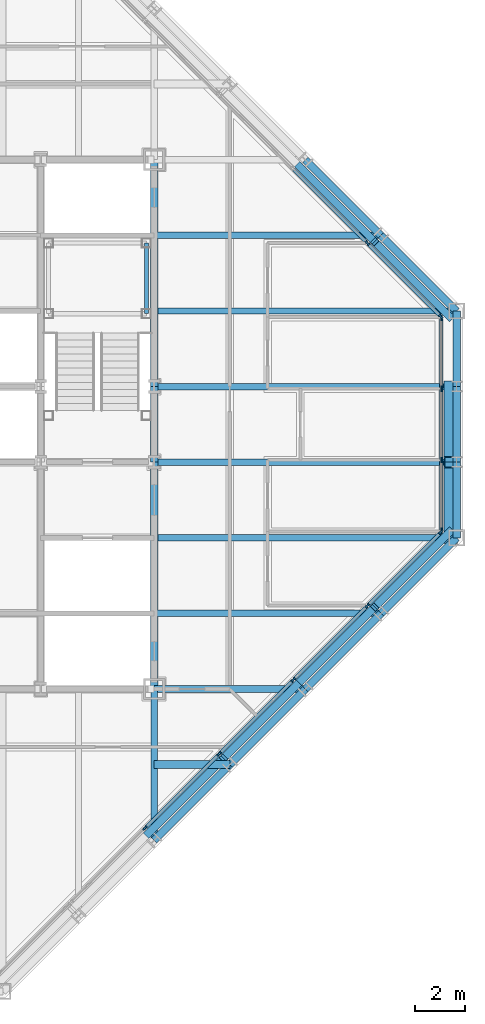
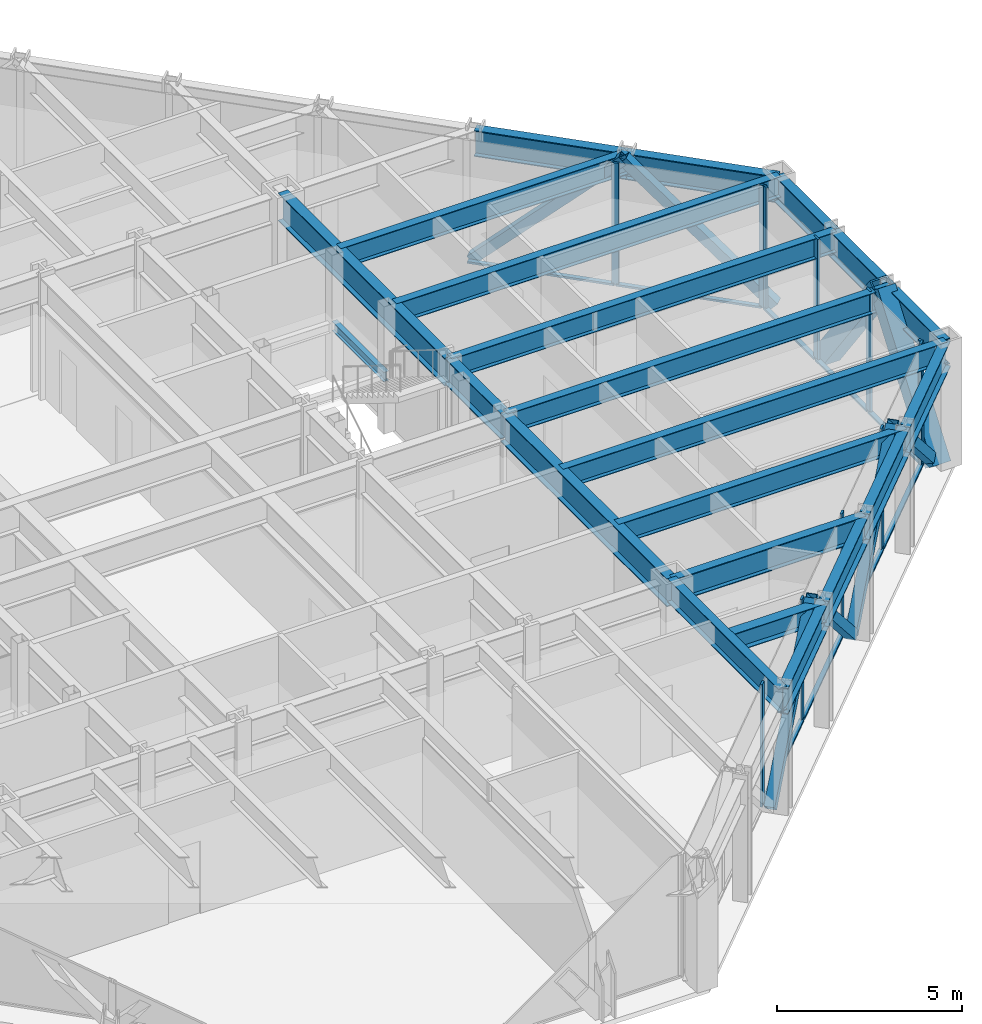
# One storey, part 7 of 15: 28 members, 22 beams, 3 elements without a shape of their own.
"""IFC4 building model written with IfcOpenShell, lengths in metres."""

from ifc_helpers import new_model, si_unit, direction, frame, origin, origin_2d, place, context, subcontext, project, spatial, rectangle, hollow_rectangle, i_section, extrude, material, layer, layer_set, material_profile, profile_set, type_object, element, aggregate, save


model = new_model("IFC4")

# Units and contexts
model_context = context("Model", 3, precision=1e-05, world=origin(), true_north=direction((0.0, 1.0)))
body_context = subcontext(model_context, "Body", "Model", "MODEL_VIEW")
ifc_project = project(units=[si_unit("LENGTHUNIT", "METRE"), si_unit("AREAUNIT", "SQUARE_METRE"), si_unit("VOLUMEUNIT", "CUBIC_METRE"), si_unit("PLANEANGLEUNIT", "RADIAN"), si_unit("MASSUNIT", "GRAM", prefix="KILO")], contexts=[model_context])

# Site, building, storey
site_placement = place(None, origin())
site = spatial("IfcSite", under=ifc_project, at=site_placement, CompositionType="ELEMENT")
building_placement = place(site_placement, origin())
building = spatial("IfcBuilding", under=site, at=building_placement, Name="Chuquiago Exchange Tower", CompositionType="ELEMENT")
storey_placement = place(building_placement, frame((0.0, 0.0, 279.0)))
storey = spatial("IfcBuildingStorey", under=building, at=storey_placement, Name="L62", CompositionType="ELEMENT", Elevation=279.0)

# Beams
ifc_material_1 = material(Name="Steel ASTM A992", Category="steel")
ifc_material_profile_1 = material_profile(ifc_material_1, i_section(OverallWidth=0.25390625, OverallDepth=0.683349609375, WebThickness=0.012451171875, FlangeThickness=0.018798828125, at=origin_2d()), Name="W27X94")
ifc_profile_set_1 = profile_set([ifc_material_profile_1], Name="Steel ASTM A992")
beam_type_1 = type_object("IfcBeamType", Name="B1 W27X94", PredefinedType="BEAM", material=ifc_profile_set_1)
beam_1_placement = place(storey_placement, frame((33.0, 15.0, 3.698486328125), z_axis=(1.0, 0.0, 0.0), x_axis=(0.0, 1.0, 0.0)))
element("IfcBeam", 1, at=beam_1_placement, inside=storey, type_object=beam_type_1, Name="FB-L63-infill-33_15-42_15-0", PredefinedType="BEAM", context=body_context, shape_type="SweptSolid", body=[
    extrude(i_section(OverallWidth=0.25390625, OverallDepth=0.683349609375, WebThickness=0.012451171875, FlangeThickness=0.018798828125, at=origin_2d()), origin(), (0.0, 0.0, 1.0), 9.0),
])
for number, where, z_axis, x_axis, name in (
    (2, (33.0, 18.0, 3.698486328125), (1.0, 0.0, 0.0), (0.0, 1.0, 0.0), "FB-L63-infill-33_18-45_18-0"),
    (3, (33.0, 21.0, 3.698486328125), (1.0, 0.0, 0.0), (0.0, 1.0, 0.0), "FB-L63-infill-33_21-45_21-0"),
    (4, (33.0, 24.0, 3.698486328125), (1.0, 0.0, 0.0), (0.0, 1.0, 0.0), "FB-L63-infill-33_24-45_24-0"),
    (5, (33.0, 27.0, 3.698486328125), (1.0, 0.0, 0.0), (0.0, 1.0, 0.0), "FB-L63-infill-33_27-45_27-0"),
):
    element("IfcBeam", number, at=place(storey_placement, frame(where, z_axis=z_axis, x_axis=x_axis)), inside=storey, type_object=beam_type_1, Name=name, PredefinedType="BEAM", context=body_context, shape_type="SweptSolid", body=[
        extrude(i_section(OverallWidth=0.25390625, OverallDepth=0.683349609375, WebThickness=0.012451171875, FlangeThickness=0.018798828125, at=origin_2d()), origin(), (0.0, 0.0, 1.0), 12.0),
    ])
beam_2_placement = place(storey_placement, frame((33.0, 30.0, 3.698486328125), z_axis=(1.0, 0.0, 0.0), x_axis=(0.0, 1.0, 0.0)))
element("IfcBeam", 6, at=beam_2_placement, inside=storey, type_object=beam_type_1, Name="FB-L63-infill-33_30-42_30-0", PredefinedType="BEAM", context=body_context, shape_type="SweptSolid", body=[
    extrude(i_section(OverallWidth=0.25390625, OverallDepth=0.683349609375, WebThickness=0.012451171875, FlangeThickness=0.018798828125, at=origin_2d()), origin(), (0.0, 0.0, 1.0), 9.0),
])
ifc_material_2 = material(Name="Steel ASTM A992", Category="steel")
ifc_material_profile_2 = material_profile(ifc_material_2, i_section(OverallWidth=0.307373046875, OverallDepth=0.927001953125, WebThickness=0.01953125, FlangeThickness=0.031982421875, at=origin_2d()), Name="W36X194")
ifc_profile_set_2 = profile_set([ifc_material_profile_2], Name="Steel ASTM A992")
beam_type_2 = type_object("IfcBeamType", Name="B10 W36X194", PredefinedType="BEAM", material=ifc_profile_set_2)
for number, where, z_axis, x_axis, name in (
    (7, (33.0, 12.0, 3.576416015625), (0.0, 1.0, 0.0), (-1.0, 0.0, 0.0), "CB-L63-33_12-33_21"),
    (8, (33.0, 24.0, 3.576416015625), (0.0, 1.0, 0.0), (-1.0, 0.0, 0.0), "CB-L63-33_24-33_33"),
):
    element("IfcBeam", number, at=place(storey_placement, frame(where, z_axis=z_axis, x_axis=x_axis)), inside=storey, type_object=beam_type_2, Name=name, PredefinedType="BEAM", context=body_context, shape_type="SweptSolid", body=[
        extrude(i_section(OverallWidth=0.307373046875, OverallDepth=0.927001953125, WebThickness=0.01953125, FlangeThickness=0.031982421875, at=origin_2d()), origin(), (0.0, 0.0, 1.0), 9.0),
    ])
ifc_material_3 = material(Name="Steel ASTM A992", Category="steel")
ifc_material_profile_3 = material_profile(ifc_material_3, i_section(OverallWidth=0.3251953125, OverallDepth=0.612060546875, WebThickness=0.0126953125, FlangeThickness=0.01904296875, at=origin_2d()), Name="W24X104")
ifc_profile_set_3 = profile_set([ifc_material_profile_3], Name="Steel ASTM A992")
beam_type_3 = type_object("IfcBeamType", Name="B2 W24X104", PredefinedType="BEAM", material=ifc_profile_set_3)
beam_3_placement = place(storey_placement, frame((33.0, 9.0, 3.73388671875), z_axis=(1.0, 0.0, 0.0), x_axis=(0.0, 1.0, 0.0)))
element("IfcBeam", 9, at=beam_3_placement, inside=storey, type_object=beam_type_3, Name="FB-L63-corner-33_9-36_9-0", PredefinedType="BEAM", context=body_context, shape_type="SweptSolid", body=[
    extrude(i_section(OverallWidth=0.3251953125, OverallDepth=0.612060546875, WebThickness=0.0126953125, FlangeThickness=0.01904296875, at=origin_2d()), origin(), (0.0, 0.0, 1.0), 3.0),
])
ifc_material_4 = material(Name="Steel ASTM A992", Category="steel")
ifc_material_profile_4 = material_profile(ifc_material_4, i_section(OverallWidth=0.2919921875, OverallDepth=0.8583984375, WebThickness=0.01708984375, FlangeThickness=0.031005859375, at=origin_2d()), Name="W33X169")
ifc_profile_set_4 = profile_set([ifc_material_profile_4], Name="Steel ASTM A992")
beam_type_4 = type_object("IfcBeamType", Name="B3 W33X169", PredefinedType="BEAM", material=ifc_profile_set_4)
beam_4_placement = place(storey_placement, frame((33.0, 21.0, 3.610595703125), z_axis=(0.0, 1.0, 0.0), x_axis=(-1.0, 0.0, 0.0)))
element("IfcBeam", 10, at=beam_4_placement, inside=storey, type_object=beam_type_4, Name="CB-L63-33_21-33_24", PredefinedType="BEAM", context=body_context, shape_type="SweptSolid", body=[
    extrude(i_section(OverallWidth=0.2919921875, OverallDepth=0.8583984375, WebThickness=0.01708984375, FlangeThickness=0.031005859375, at=origin_2d()), origin(), (0.0, 0.0, 1.0), 3.0),
])

# Curtain wall, members
ifc_material_5 = material(Name="Aluminium curtain wall system", Category="aluminium")
ifc_layer_1 = layer(ifc_material_5, 0.22509765625)
ifc_layer_set_1 = layer_set([ifc_layer_1], Name="CW2 office curtain wall")
curtain_wall_type_1 = type_object("IfcCurtainWallType", Name="CW2 office curtain wall", PredefinedType="NOTDEFINED", material=ifc_layer_set_1)
curtain_wall_1_placement = place(storey_placement, origin())
curtain_wall_1 = element("IfcCurtainWall", 11, at=curtain_wall_1_placement, inside=storey, type_object=curtain_wall_type_1, Name="CW2 curtain wall L62", PredefinedType="NOTDEFINED")
ifc_material_6 = material(Name="Aluminium mullion, pale anodised", Category="aluminium")
ifc_material_profile_5 = material_profile(ifc_material_6, rectangle(XDim=0.06494140625, YDim=0.22509765625, at=origin_2d()), Name="AL 65x225")
ifc_profile_set_5 = profile_set([ifc_material_profile_5], Name="Aluminium mullion, pale anodised")
member_type_1 = type_object("IfcMemberType", Name="CW2-M mullion 65x225", PredefinedType="MULLION", material=ifc_profile_set_5)
member_1_placement = place(storey_placement, frame((44.39990234375, 18.281005859375, 0.0), z_axis=(0.0, 0.0, 1.0), x_axis=(-1.0, 0.0, 0.0)))
member_1 = element("IfcMember", 12, at=member_1_placement, type_object=member_type_1, Name="CW2 mullion 1", PredefinedType="MULLION", context=body_context, shape_type="SweptSolid", body=[
    extrude(rectangle(XDim=0.06494140625, YDim=0.22509765625, at=origin_2d()), origin(), (0.0, 0.0, 1.0), 4.0400390625),
])
member_2_placement = place(storey_placement, frame((44.39990234375, 21.082763671875, 0.0), z_axis=(0.0, 0.0, 1.0), x_axis=(-1.0, 0.0, 0.0)))
member_2 = element("IfcMember", 13, at=member_2_placement, type_object=member_type_1, Name="CW2 mullion 2", PredefinedType="MULLION", context=body_context, shape_type="SweptSolid", body=[
    extrude(rectangle(XDim=0.06494140625, YDim=0.22509765625, at=origin_2d()), origin(), (0.0, 0.0, 1.0), 4.0400390625),
])
member_3_placement = place(storey_placement, frame((44.39990234375, 23.917236328125, 0.0), z_axis=(0.0, 0.0, 1.0), x_axis=(-1.0, 0.0, 0.0)))
member_3 = element("IfcMember", 14, at=member_3_placement, type_object=member_type_1, Name="CW2 mullion 3", PredefinedType="MULLION", context=body_context, shape_type="SweptSolid", body=[
    extrude(rectangle(XDim=0.06494140625, YDim=0.22509765625, at=origin_2d()), origin(), (0.0, 0.0, 1.0), 4.0400390625),
])
member_4_placement = place(storey_placement, frame((44.39990234375, 26.718994140625, 0.0), z_axis=(0.0, 0.0, 1.0), x_axis=(-1.0, 0.0, 0.0)))
member_4 = element("IfcMember", 15, at=member_4_placement, type_object=member_type_1, Name="CW2 mullion 4", PredefinedType="MULLION", context=body_context, shape_type="SweptSolid", body=[
    extrude(rectangle(XDim=0.06494140625, YDim=0.22509765625, at=origin_2d()), origin(), (0.0, 0.0, 1.0), 4.0400390625),
])
ifc_material_7 = material(Name="Aluminium transom, pale anodised", Category="aluminium")
ifc_material_profile_6 = material_profile(ifc_material_7, rectangle(XDim=0.139892578125, YDim=0.06494140625, at=origin_2d()), Name="AL 140x65")
ifc_profile_set_6 = profile_set([ifc_material_profile_6], Name="Aluminium transom, pale anodised")
member_type_2 = type_object("IfcMemberType", Name="CW2-T transom 65x140", PredefinedType="MULLION", material=ifc_profile_set_6)
member_5_placement = place(storey_placement, frame((44.39990234375, 18.3134765625, 0.032470703125), z_axis=(0.0, 1.0, 0.0), x_axis=(-1.0, 0.0, 0.0)))
member_5 = element("IfcMember", 16, at=member_5_placement, type_object=member_type_2, Name="CW2 transom 1.1", PredefinedType="MULLION", context=body_context, shape_type="SweptSolid", body=[
    extrude(rectangle(XDim=0.139892578125, YDim=0.06494140625, at=origin_2d()), origin(), (0.0, 0.0, 1.0), 2.73681640625),
])
member_6_placement = place(storey_placement, frame((44.39990234375, 21.115234375, 0.032470703125), z_axis=(0.0, 1.0, 0.0), x_axis=(-1.0, 0.0, 0.0)))
member_6 = element("IfcMember", 17, at=member_6_placement, type_object=member_type_2, Name="CW2 transom 2.1", PredefinedType="MULLION", context=body_context, shape_type="SweptSolid", body=[
    extrude(rectangle(XDim=0.139892578125, YDim=0.06494140625, at=origin_2d()), origin(), (0.0, 0.0, 1.0), 2.76953125),
])
member_7_placement = place(storey_placement, frame((44.39990234375, 23.94970703125, 0.032470703125), z_axis=(0.0, 1.0, 0.0), x_axis=(-1.0, 0.0, 0.0)))
member_7 = element("IfcMember", 18, at=member_7_placement, type_object=member_type_2, Name="CW2 transom 3.1", PredefinedType="MULLION", context=body_context, shape_type="SweptSolid", body=[
    extrude(rectangle(XDim=0.139892578125, YDim=0.06494140625, at=origin_2d()), origin(), (0.0, 0.0, 1.0), 2.73681640625),
])
aggregate(curtain_wall_1, [member_1, member_2, member_3, member_4, member_5, member_6, member_7])

ifc_material_8 = material(Name="Aluminium curtain wall system", Category="aluminium")
ifc_layer_2 = layer(ifc_material_8, 0.199951171875)
ifc_layer_set_2 = layer_set([ifc_layer_2], Name="CW3 facet curtain wall")
curtain_wall_type_2 = type_object("IfcCurtainWallType", Name="CW3 facet curtain wall", PredefinedType="NOTDEFINED", material=ifc_layer_set_2)
curtain_wall_2_placement = place(storey_placement, origin())
curtain_wall_2 = element("IfcCurtainWall", 19, at=curtain_wall_2_placement, inside=storey, type_object=curtain_wall_type_2, Name="CW3 curtain wall L62", PredefinedType="NOTDEFINED")
ifc_material_9 = material(Name="Aluminium mullion, pale anodised", Category="aluminium")
ifc_material_profile_7 = material_profile(ifc_material_9, rectangle(XDim=0.06494140625, YDim=0.199951171875, at=origin_2d()), Name="AL 65x200")
ifc_profile_set_7 = profile_set([ifc_material_profile_7], Name="Aluminium mullion, pale anodised")
member_type_3 = type_object("IfcMemberType", Name="CW3-M mullion 65x200", PredefinedType="MULLION", material=ifc_profile_set_7)
member_8_placement = place(storey_placement, frame((32.63427734375, 6.48291015625, 0.0), z_axis=(0.0, 0.0, 1.0), x_axis=(-0.707106781187, 0.707106781187, 0.0)))
member_8 = element("IfcMember", 20, at=member_8_placement, type_object=member_type_3, Name="CW3 mullion 3", PredefinedType="MULLION", context=body_context, shape_type="SweptSolid", body=[
    extrude(rectangle(XDim=0.06494140625, YDim=0.199951171875, at=origin_2d()), origin(), (0.0, 0.0, 1.0), 4.0400390625),
])
member_9_placement = place(storey_placement, frame((35.57568359375, 9.42431640625, 0.0), z_axis=(0.0, 0.0, 1.0), x_axis=(-0.707106781187, 0.707106781187, 0.0)))
member_9 = element("IfcMember", 21, at=member_9_placement, type_object=member_type_3, Name="CW3 mullion 4", PredefinedType="MULLION", context=body_context, shape_type="SweptSolid", body=[
    extrude(rectangle(XDim=0.06494140625, YDim=0.199951171875, at=origin_2d()), origin(), (0.0, 0.0, 1.0), 4.0400390625),
])
member_10_placement = place(storey_placement, frame((38.51708984375, 12.36572265625, 0.0), z_axis=(0.0, 0.0, 1.0), x_axis=(-0.707106781187, 0.707106781187, 0.0)))
member_10 = element("IfcMember", 22, at=member_10_placement, type_object=member_type_3, Name="CW3 mullion 5", PredefinedType="MULLION", context=body_context, shape_type="SweptSolid", body=[
    extrude(rectangle(XDim=0.06494140625, YDim=0.199951171875, at=origin_2d()), origin(), (0.0, 0.0, 1.0), 4.0400390625),
])
member_11_placement = place(storey_placement, frame((41.45849609375, 15.30712890625, 0.0), z_axis=(0.0, 0.0, 1.0), x_axis=(-0.707106781187, 0.707106781187, 0.0)))
member_11 = element("IfcMember", 23, at=member_11_placement, type_object=member_type_3, Name="CW3 mullion 6", PredefinedType="MULLION", context=body_context, shape_type="SweptSolid", body=[
    extrude(rectangle(XDim=0.06494140625, YDim=0.199951171875, at=origin_2d()), origin(), (0.0, 0.0, 1.0), 4.0400390625),
])
member_12_placement = place(storey_placement, frame((44.376953125, 18.2255859375, 0.0), z_axis=(0.0, 0.0, 1.0), x_axis=(-0.707106781187, 0.707106781187, 0.0)))
member_12 = element("IfcMember", 24, at=member_12_placement, type_object=member_type_3, Name="CW3 mullion 7", PredefinedType="MULLION", context=body_context, shape_type="SweptSolid", body=[
    extrude(rectangle(XDim=0.06494140625, YDim=0.199951171875, at=origin_2d()), origin(), (0.0, 0.0, 1.0), 4.0400390625),
])

curtain_wall_3_placement = place(storey_placement, origin())
curtain_wall_3 = element("IfcCurtainWall", 25, at=curtain_wall_3_placement, inside=storey, type_object=curtain_wall_type_2, Name="CW3 curtain wall L62", PredefinedType="NOTDEFINED")
member_13_placement = place(storey_placement, frame((44.376953125, 26.7744140625, 0.0), z_axis=(0.0, 0.0, 1.0), x_axis=(-0.707106781187, -0.707106781187, 0.0)))
member_13 = element("IfcMember", 26, at=member_13_placement, type_object=member_type_3, Name="CW3 mullion 1", PredefinedType="MULLION", context=body_context, shape_type="SweptSolid", body=[
    extrude(rectangle(XDim=0.06494140625, YDim=0.199951171875, at=origin_2d()), origin(), (0.0, 0.0, 1.0), 4.0400390625),
])
member_14_placement = place(storey_placement, frame((41.45849609375, 29.69287109375, 0.0), z_axis=(0.0, 0.0, 1.0), x_axis=(-0.707106781187, -0.707106781187, 0.0)))
member_14 = element("IfcMember", 27, at=member_14_placement, type_object=member_type_3, Name="CW3 mullion 2", PredefinedType="MULLION", context=body_context, shape_type="SweptSolid", body=[
    extrude(rectangle(XDim=0.06494140625, YDim=0.199951171875, at=origin_2d()), origin(), (0.0, 0.0, 1.0), 4.0400390625),
])

# Member
ifc_material_10 = material(Name="Aluminium transom, pale anodised", Category="aluminium")
ifc_material_profile_8 = material_profile(ifc_material_10, rectangle(XDim=0.139892578125, YDim=0.06494140625, at=origin_2d()), Name="AL 140x65")
ifc_profile_set_8 = profile_set([ifc_material_profile_8], Name="Aluminium transom, pale anodised")
member_type_4 = type_object("IfcMemberType", Name="CW3-T transom 65x140", PredefinedType="MULLION", material=ifc_profile_set_8)
member_15_placement = place(storey_placement, frame((32.6572265625, 6.505859375, 0.032470703125), z_axis=(0.707106781187, 0.707106781187, 0.0), x_axis=(-0.707106781187, 0.707106781187, 0.0)))
member_15 = element("IfcMember", 28, at=member_15_placement, type_object=member_type_4, Name="CW3 transom 3.1", PredefinedType="MULLION", context=body_context, shape_type="SweptSolid", body=[
    extrude(rectangle(XDim=0.139892578125, YDim=0.06494140625, at=origin_2d()), origin(), (0.0, 0.0, 1.0), 4.094970703125),
])

member_16_placement = place(storey_placement, frame((35.5986328125, 9.447265625, 0.032470703125), z_axis=(0.707106781187, 0.707106781187, 0.0), x_axis=(-0.707106781187, 0.707106781187, 0.0)))
member_16 = element("IfcMember", 29, at=member_16_placement, type_object=member_type_4, Name="CW3 transom 4.1", PredefinedType="MULLION", context=body_context, shape_type="SweptSolid", body=[
    extrude(rectangle(XDim=0.139892578125, YDim=0.06494140625, at=origin_2d()), origin(), (0.0, 0.0, 1.0), 4.094970703125),
])

member_17_placement = place(storey_placement, frame((38.5400390625, 12.388671875, 0.032470703125), z_axis=(0.707106781187, 0.707106781187, 0.0), x_axis=(-0.707106781187, 0.707106781187, 0.0)))
member_17 = element("IfcMember", 30, at=member_17_placement, type_object=member_type_4, Name="CW3 transom 5.1", PredefinedType="MULLION", context=body_context, shape_type="SweptSolid", body=[
    extrude(rectangle(XDim=0.139892578125, YDim=0.06494140625, at=origin_2d()), origin(), (0.0, 0.0, 1.0), 4.094970703125),
])

member_18_placement = place(storey_placement, frame((41.4814453125, 15.330078125, 0.032470703125), z_axis=(0.707106781187, 0.707106781187, 0.0), x_axis=(-0.707106781187, 0.707106781187, 0.0)))
member_18 = element("IfcMember", 31, at=member_18_placement, type_object=member_type_4, Name="CW3 transom 6.1", PredefinedType="MULLION", context=body_context, shape_type="SweptSolid", body=[
    extrude(rectangle(XDim=0.139892578125, YDim=0.06494140625, at=origin_2d()), origin(), (0.0, 0.0, 1.0), 4.0625),
])

aggregate(curtain_wall_2, [member_8, member_9, member_10, member_11, member_12, member_15, member_16, member_17, member_18])

member_19_placement = place(storey_placement, frame((44.35400390625, 26.79736328125, 0.032470703125), z_axis=(-0.707106781187, 0.707106781187, 0.0), x_axis=(-0.707106781187, -0.707106781187, 0.0)))
member_19 = element("IfcMember", 32, at=member_19_placement, type_object=member_type_4, Name="CW3 transom 1.1", PredefinedType="MULLION", context=body_context, shape_type="SweptSolid", body=[
    extrude(rectangle(XDim=0.139892578125, YDim=0.06494140625, at=origin_2d()), origin(), (0.0, 0.0, 1.0), 4.0625),
])

member_20_placement = place(storey_placement, frame((41.435546875, 29.7158203125, 0.032470703125), z_axis=(-0.707106781187, 0.707106781187, 0.0), x_axis=(-0.707106781187, -0.707106781187, 0.0)))
member_20 = element("IfcMember", 33, at=member_20_placement, type_object=member_type_4, Name="CW3 transom 2.1", PredefinedType="MULLION", context=body_context, shape_type="SweptSolid", body=[
    extrude(rectangle(XDim=0.139892578125, YDim=0.06494140625, at=origin_2d()), origin(), (0.0, 0.0, 1.0), 4.094970703125),
])

aggregate(curtain_wall_3, [member_13, member_14, member_19, member_20])

# Beams
ifc_material_11 = material(Name="Steel ASTM A992", Category="steel")
ifc_material_profile_9 = material_profile(ifc_material_11, i_section(OverallWidth=0.2666015625, OverallDepth=0.76953125, WebThickness=0.015625, FlangeThickness=0.025390625, at=origin_2d()), Name="W30X132")
ifc_profile_set_9 = profile_set([ifc_material_profile_9], Name="Steel ASTM A992")
beam_type_5 = type_object("IfcBeamType", Name="G1 W30X132", PredefinedType="BEAM", material=ifc_profile_set_9)
for number, where, z_axis, x_axis, name in (
    (34, (33.0, 12.0, 3.6552734375), (0.0, -1.0, 0.0), (1.0, 0.0, 0.0), "FB-L63-girder-33_12-33_6-0"),
    (35, (33.0, 12.0, 3.6552734375), (1.0, 0.0, 0.0), (0.0, 1.0, 0.0), "FB-L63-girder-33_12-39_12-0"),
):
    element("IfcBeam", number, at=place(storey_placement, frame(where, z_axis=z_axis, x_axis=x_axis)), inside=storey, type_object=beam_type_5, Name=name, PredefinedType="BEAM", context=body_context, shape_type="SweptSolid", body=[
        extrude(i_section(OverallWidth=0.2666015625, OverallDepth=0.76953125, WebThickness=0.015625, FlangeThickness=0.025390625, at=origin_2d()), origin(), (0.0, 0.0, 1.0), 6.0),
    ])

# Members
ifc_material_12 = material(Name="Steel ASTM A500 Grade C", Category="steel")
ifc_material_profile_10 = material_profile(ifc_material_12, hollow_rectangle(XDim=0.3046875, YDim=0.3046875, WallThickness=0.0146484375, at=origin_2d()), Name="HSS12X12X5/8")
ifc_profile_set_10 = profile_set([ifc_material_profile_10], Name="Steel ASTM A500 Grade C")
member_type_5 = type_object("IfcMemberType", Name="LB3 HSS12X12X5/8", PredefinedType="BRACE", material=ifc_profile_set_10)
for number, where, z_axis, x_axis, name in (
    (36, (32.750732421875, 6.249267578125, 0.0), (0.512077265487, 0.512077265487, 0.689604051861), (-0.707106781187, 0.707106781187, 0.0), "LB-L62-33_6-36_9"),
    (37, (38.750732421875, 12.249267578125, 0.0), (-0.512077265487, -0.512077265487, 0.689604051861), (0.707106781187, -0.707106781187, 0.0), "LB-L62-36_9-39_12"),
    (38, (38.750732421875, 12.249267578125, 0.0), (0.512077265487, 0.512077265487, 0.689604051861), (-0.707106781187, 0.707106781187, 0.0), "LB-L62-39_12-42_15"),
    (39, (44.750732421875, 18.249267578125, 0.0), (-0.512077265487, -0.512077265487, 0.689604051861), (0.707106781187, -0.707106781187, 0.0), "LB-L62-42_15-45_18"),
    (40, (44.750732421875, 26.750732421875, 0.0), (-0.512077265487, 0.512077265487, 0.689604051861), (-0.707106781187, -0.707106781187, 0.0), "LB-L62-45_27-42_30"),
    (41, (38.750732421875, 32.750732421875, 0.0), (0.512077265487, -0.512077265487, 0.689604051861), (0.707106781187, 0.707106781187, 0.0), "LB-L62-42_30-39_33"),
):
    element("IfcMember", number, at=place(storey_placement, frame(where, z_axis=z_axis, x_axis=x_axis)), inside=storey, type_object=member_type_5, Name=name, PredefinedType="BRACE", context=body_context, shape_type="SweptSolid", body=[
        extrude(hollow_rectangle(XDim=0.3046875, YDim=0.3046875, WallThickness=0.0146484375, at=origin_2d()), origin(), (0.0, 0.0, 1.0), 5.8583984375),
    ])

# Beam
ifc_material_13 = material(Name="Steel ASTM A992", Category="steel")
ifc_material_profile_11 = material_profile(ifc_material_13, i_section(OverallWidth=0.164794921875, OverallDepth=0.309814453125, WebThickness=0.005859375, FlangeThickness=0.009765625, at=origin_2d()), Name="W12X26")
ifc_profile_set_11 = profile_set([ifc_material_profile_11], Name="Steel ASTM A992")
beam_type_6 = type_object("IfcBeamType", Name="LS1 W12X26", PredefinedType="BEAM", material=ifc_profile_set_11)
beam_5_placement = place(storey_placement, frame((32.68994140625, 26.889892578125, 1.7451171875), z_axis=(0.0, 1.0, 0.0), x_axis=(-1.0, 0.0, 0.0)))
element("IfcBeam", 42, at=beam_5_placement, inside=storey, type_object=beam_type_6, Name="Stair ST2 L62 landing 1 stringer", PredefinedType="BEAM", context=body_context, shape_type="SweptSolid", body=[
    extrude(i_section(OverallWidth=0.164794921875, OverallDepth=0.309814453125, WebThickness=0.005859375, FlangeThickness=0.009765625, at=origin_2d()), origin(), (0.0, 0.0, 1.0), 2.800048828125),
])

# Members
ifc_material_14 = material(Name="Steel ASTM A572 Grade 50", Category="steel")
ifc_material_profile_12 = material_profile(ifc_material_14, hollow_rectangle(XDim=0.550048828125, YDim=0.550048828125, WallThickness=0.044921875, at=origin_2d()), Name="BOX550X550X45")
ifc_profile_set_12 = profile_set([ifc_material_profile_12], Name="Steel ASTM A572 Grade 50")
member_type_6 = type_object("IfcMemberType", Name="MB4 BOX550X550X45", PredefinedType="BRACE", material=ifc_profile_set_12)
for number, where, z_axis, x_axis, name in (
    (43, (44.77001953125, 18.0, 0.0), (0.0, 0.596173923302, 0.802855312728), (-1.0, 0.0, 0.0), "Mega diagonal L62 E face"),
    (44, (44.77001953125, 24.0, 0.0), (0.0, -0.596173923302, 0.802855312728), (1.0, 0.0, 0.0), "Mega diagonal L62 E face"),
):
    element("IfcMember", number, at=place(storey_placement, frame(where, z_axis=z_axis, x_axis=x_axis)), inside=storey, type_object=member_type_6, Name=name, PredefinedType="BRACE", context=body_context, shape_type="SweptSolid", body=[
        extrude(hollow_rectangle(XDim=0.550048828125, YDim=0.550048828125, WallThickness=0.044921875, at=origin_2d()), origin(), (0.0, 0.0, 1.0), 5.031982421875),
    ])

# Beams
ifc_material_15 = material(Name="Steel ASTM A992", Category="steel")
ifc_material_profile_13 = material_profile(ifc_material_15, i_section(OverallWidth=0.2919921875, OverallDepth=0.8583984375, WebThickness=0.01708984375, FlangeThickness=0.031005859375, at=origin_2d()), Name="W33X169")
ifc_profile_set_13 = profile_set([ifc_material_profile_13], Name="Steel ASTM A992")
beam_type_7 = type_object("IfcBeamType", Name="SP4 W33X169", PredefinedType="SPANDREL", material=ifc_profile_set_13)
for number, where, z_axis, x_axis, name in (
    (45, (33.0, 6.0, 3.610595703125), (0.707106781187, 0.707106781187, 0.0), (-0.707106781187, 0.707106781187, 0.0), "SPB-L63-33_6-36_9"),
    (46, (36.0, 9.0, 3.610595703125), (0.707106781187, 0.707106781187, 0.0), (-0.707106781187, 0.707106781187, 0.0), "SPB-L63-36_9-39_12"),
    (47, (39.0, 12.0, 3.610595703125), (0.707106781187, 0.707106781187, 0.0), (-0.707106781187, 0.707106781187, 0.0), "SPB-L63-39_12-42_15"),
    (48, (42.0, 15.0, 3.610595703125), (0.707106781187, 0.707106781187, 0.0), (-0.707106781187, 0.707106781187, 0.0), "SPB-L63-42_15-45_18"),
):
    element("IfcBeam", number, at=place(storey_placement, frame(where, z_axis=z_axis, x_axis=x_axis)), inside=storey, type_object=beam_type_7, Name=name, PredefinedType="SPANDREL", context=body_context, shape_type="SweptSolid", body=[
        extrude(i_section(OverallWidth=0.2919921875, OverallDepth=0.8583984375, WebThickness=0.01708984375, FlangeThickness=0.031005859375, at=origin_2d()), origin(), (0.0, 0.0, 1.0), 4.24267578125),
    ])
for number, where, z_axis, x_axis, name in (
    (49, (45.0, 18.0, 3.610595703125), (0.0, 1.0, 0.0), (-1.0, 0.0, 0.0), "SPB-L63-45_18-45_21"),
    (50, (45.0, 21.0, 3.610595703125), (0.0, 1.0, 0.0), (-1.0, 0.0, 0.0), "SPB-L63-45_21-45_24"),
    (51, (45.0, 24.0, 3.610595703125), (0.0, 1.0, 0.0), (-1.0, 0.0, 0.0), "SPB-L63-45_24-45_27"),
):
    element("IfcBeam", number, at=place(storey_placement, frame(where, z_axis=z_axis, x_axis=x_axis)), inside=storey, type_object=beam_type_7, Name=name, PredefinedType="SPANDREL", context=body_context, shape_type="SweptSolid", body=[
        extrude(i_section(OverallWidth=0.2919921875, OverallDepth=0.8583984375, WebThickness=0.01708984375, FlangeThickness=0.031005859375, at=origin_2d()), origin(), (0.0, 0.0, 1.0), 3.0),
    ])
for number, where, z_axis, x_axis, name in (
    (52, (45.0, 27.0, 3.610595703125), (-0.707106781187, 0.707106781187, 0.0), (-0.707106781187, -0.707106781187, 0.0), "SPB-L63-45_27-42_30"),
    (53, (42.0, 30.0, 3.610595703125), (-0.707106781187, 0.707106781187, 0.0), (-0.707106781187, -0.707106781187, 0.0), "SPB-L63-42_30-39_33"),
):
    element("IfcBeam", number, at=place(storey_placement, frame(where, z_axis=z_axis, x_axis=x_axis)), inside=storey, type_object=beam_type_7, Name=name, PredefinedType="SPANDREL", context=body_context, shape_type="SweptSolid", body=[
        extrude(i_section(OverallWidth=0.2919921875, OverallDepth=0.8583984375, WebThickness=0.01708984375, FlangeThickness=0.031005859375, at=origin_2d()), origin(), (0.0, 0.0, 1.0), 4.24267578125),
    ])

save(model, "model.ifc")
